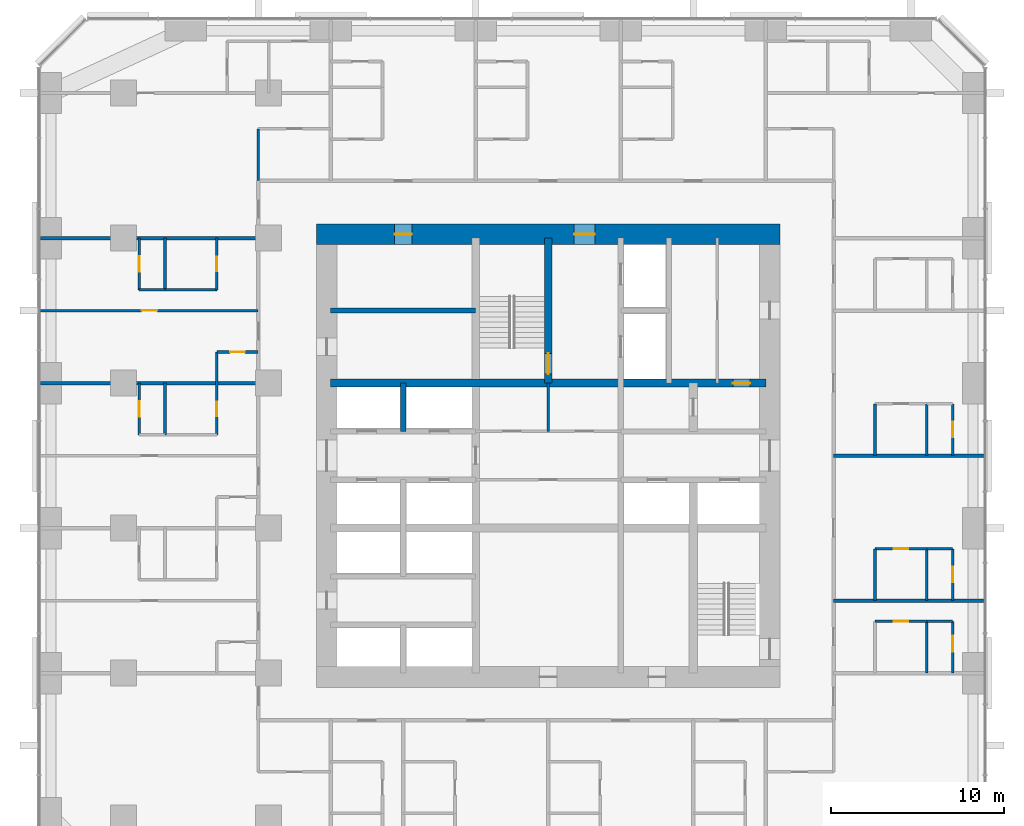
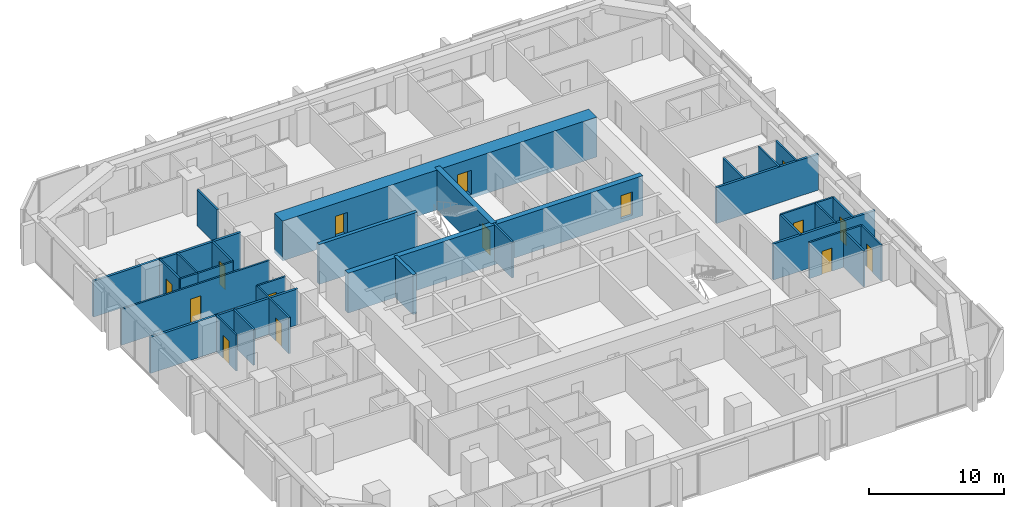
# One storey, part 11 of 14: 33 walls, 15 doors, 15 openings.
"""IFC4 building model written with IfcOpenShell, lengths in metres."""

from ifc_helpers import new_model, si_unit, direction, frame, frame_2d, origin, place, context, subcontext, project, spatial, rectangle, extrude, material, layer, layer_set, type_object, element, fill, save


model = new_model("IFC4")

# Units and contexts
model_context = context("Model", 3, precision=1e-05, world=origin(), true_north=direction((0.0, 1.0)))
body_context = subcontext(model_context, "Body", "Model", "MODEL_VIEW")
ifc_project = project(units=[si_unit("LENGTHUNIT", "METRE"), si_unit("AREAUNIT", "SQUARE_METRE"), si_unit("VOLUMEUNIT", "CUBIC_METRE"), si_unit("PLANEANGLEUNIT", "RADIAN"), si_unit("MASSUNIT", "GRAM", prefix="KILO")], contexts=[model_context])

# Site, building, storey
site_placement = place(None, origin())
site = spatial("IfcSite", under=ifc_project, at=site_placement, CompositionType="ELEMENT")
building_placement = place(site_placement, origin())
building = spatial("IfcBuilding", under=site, at=building_placement, Name="Dunama Terrace Hotel", CompositionType="ELEMENT")
storey_placement = place(building_placement, frame((0.0, 0.0, 100.800048828125)))
storey = spatial("IfcBuildingStorey", under=building, at=storey_placement, Name="L25", CompositionType="ELEMENT", Elevation=100.800048828125)

# Wall, opening, door
ifc_material_1 = material(Name="Gypsum board partition", Category="masonry")
ifc_layer_1 = layer(ifc_material_1, 0.14990234375)
ifc_layer_set_1 = layer_set([ifc_layer_1], Name="Bathroom partition 150")
wall_type_1 = type_object("IfcWallType", Name="Bathroom partition 150", PredefinedType="PARTITIONING", material=ifc_layer_set_1)
wall_1_placement = place(storey_placement, frame((10.199951171875, 30.60009765625, 0.0), z_axis=(0.0, 0.0, 1.0), x_axis=(0.0, 1.0, 0.0)))
wall_1 = element("IfcWall", 1, at=wall_1_placement, inside=storey, type_object=wall_type_1, Name="Bathroom partition 150 L25", PredefinedType="PARTITIONING", context=body_context, shape_type="SweptSolid", body=[
    extrude(rectangle(XDim=4.7998046875, YDim=0.14990234375, at=frame_2d((2.39990234375, 0.0))), origin(), (0.0, 0.0, 1.0), 3.25),
])
opening_1_placement = place(wall_1_placement, frame((1.074951171875, 0.0, 0.0)))
opening_1 = element("IfcOpeningElement", 2, at=opening_1_placement, cuts=wall_1, Name="Opening L25-27-052", PredefinedType="OPENING", context=body_context, shape_type="SweptSolid", body=[
    extrude(rectangle(XDim=0.85009765625, YDim=2.10009765625, at=frame_2d((0.425048828125, 1.050048828125))), frame((0.0, 0.0849609375, 0.0), z_axis=(0.0, -1.0, 0.0), x_axis=(1.0, 0.0, 0.0)), (0.0, 0.0, 1.0), 0.169921875),
])
ifc_material_2 = material(Name="Timber door with steel frame", Category="steel")
door_type_1 = type_object("IfcDoorType", Name="Bathroom door 850", OperationType="SINGLE_SWING_LEFT", PredefinedType="DOOR", material=ifc_material_2)
door_1_placement = place(opening_1_placement, origin())
door_1 = element("IfcDoor", 3, at=door_1_placement, inside=storey, type_object=door_type_1, Name="Door to en-suite bathroom L25-27-052, type D2", OperationType="SINGLE_SWING_RIGHT", OverallHeight=2.10009765625, OverallWidth=0.85009765625, PredefinedType="DOOR", context=body_context, shape_type="SweptSolid", body=[
    extrude(rectangle(XDim=0.85009765625, YDim=2.10009765625, at=frame_2d((0.425048828125, 1.050048828125))), frame((0.0, 0.02490234375, 0.0), z_axis=(0.0, -1.0, 0.0), x_axis=(1.0, 0.0, 0.0)), (0.0, 0.0, 1.0), 0.050048828125),
])
fill(opening_1, door_1)

wall_2_placement = place(storey_placement, frame((10.199951171875, 39.0, 0.0), z_axis=(0.0, 0.0, 1.0), x_axis=(0.0, 1.0, 0.0)))
wall_2 = element("IfcWall", 4, at=wall_2_placement, inside=storey, type_object=wall_type_1, Name="Bathroom partition 150 L25", PredefinedType="PARTITIONING", context=body_context, shape_type="SweptSolid", body=[
    extrude(rectangle(XDim=3.0, YDim=0.14990234375, at=frame_2d((1.5, 0.0))), origin(), (0.0, 0.0, 1.0), 3.25),
])
opening_2_placement = place(wall_2_placement, frame((1.074951171875, 0.0, 0.0)))
opening_2 = element("IfcOpeningElement", 5, at=opening_2_placement, cuts=wall_2, Name="Opening L25-27-057", PredefinedType="OPENING", context=body_context, shape_type="SweptSolid", body=[
    extrude(rectangle(XDim=0.85009765625, YDim=2.10009765625, at=frame_2d((0.425048828125, 1.050048828125))), frame((0.0, 0.0849609375, 0.0), z_axis=(0.0, -1.0, 0.0), x_axis=(1.0, 0.0, 0.0)), (0.0, 0.0, 1.0), 0.169921875),
])
door_2_placement = place(opening_2_placement, origin())
door_2 = element("IfcDoor", 6, at=door_2_placement, inside=storey, type_object=door_type_1, Name="Door to en-suite bathroom L25-27-057, type D2", OperationType="SINGLE_SWING_RIGHT", OverallHeight=2.10009765625, OverallWidth=0.85009765625, PredefinedType="DOOR", context=body_context, shape_type="SweptSolid", body=[
    extrude(rectangle(XDim=0.85009765625, YDim=2.10009765625, at=frame_2d((0.425048828125, 1.050048828125))), frame((0.0, 0.02490234375, 0.0), z_axis=(0.0, -1.0, 0.0), x_axis=(1.0, 0.0, 0.0)), (0.0, 0.0, 1.0), 0.050048828125),
])
fill(opening_2, door_2)

# Walls
for number, where, z_axis, x_axis, name in (
    (7, (12.60009765625, 45.324951171875, 0.0), (0.0, 0.0, 1.0), (0.0, 1.0, 0.0), "Bathroom partition 150 L25"),
    (8, (48.324951171875, 21.0, 0.0), (0.0, 0.0, 1.0), (0.0, 1.0, 0.0), "Bathroom partition 150 L25"),
    (9, (48.324951171875, 29.39990234375, 0.0), (0.0, 0.0, 1.0), (0.0, 1.0, 0.0), "Bathroom partition 150 L25"),
):
    element("IfcWall", number, at=place(storey_placement, frame(where, z_axis=z_axis, x_axis=x_axis)), inside=storey, type_object=wall_type_1, Name=name, PredefinedType="PARTITIONING", context=body_context, shape_type="SweptSolid", body=[
        extrude(rectangle(XDim=3.0, YDim=0.14990234375, at=frame_2d((1.5, 0.0))), origin(), (0.0, 0.0, 1.0), 3.25),
    ])

# Wall, opening, door
wall_3_placement = place(storey_placement, frame((48.324951171875, 19.800048828125, 0.0), z_axis=(0.0, 0.0, 1.0), x_axis=(1.0, 0.0, 0.0)))
wall_3 = element("IfcWall", 10, at=wall_3_placement, inside=storey, type_object=wall_type_1, Name="Bathroom partition 150 L25", PredefinedType="PARTITIONING", context=body_context, shape_type="SweptSolid", body=[
    extrude(rectangle(XDim=3.0, YDim=0.14990234375, at=frame_2d((1.5, 0.0))), origin(), (0.0, 0.0, 1.0), 3.25),
])
opening_3_placement = place(wall_3_placement, frame((1.074951171875, 0.0, 0.0)))
opening_3 = element("IfcOpeningElement", 11, at=opening_3_placement, cuts=wall_3, Name="Opening L25-27-024", PredefinedType="OPENING", context=body_context, shape_type="SweptSolid", body=[
    extrude(rectangle(XDim=0.85009765625, YDim=2.10009765625, at=frame_2d((0.425048828125, 1.050048828125))), frame((0.0, 0.0849609375, 0.0), z_axis=(0.0, -1.0, 0.0), x_axis=(1.0, 0.0, 0.0)), (0.0, 0.0, 1.0), 0.169921875),
])
door_3_placement = place(opening_3_placement, frame((0.85009765625, 0.0, 0.0), z_axis=(0.0, 0.0, 1.0), x_axis=(-1.0, 0.0, 0.0)))
door_3 = element("IfcDoor", 12, at=door_3_placement, inside=storey, type_object=door_type_1, Name="Door to en-suite bathroom L25-27-024, type D2", OperationType="SINGLE_SWING_LEFT", OverallHeight=2.10009765625, OverallWidth=0.85009765625, PredefinedType="DOOR", context=body_context, shape_type="SweptSolid", body=[
    extrude(rectangle(XDim=0.85009765625, YDim=2.10009765625, at=frame_2d((0.425048828125, 1.050048828125))), frame((0.0, 0.025146484375, 0.0), z_axis=(0.0, -1.0, 0.0), x_axis=(1.0, 0.0, 0.0)), (0.0, 0.0, 1.0), 0.050048828125),
])
fill(opening_3, door_3)

wall_4_placement = place(storey_placement, frame((48.324951171875, 24.0, 0.0), z_axis=(0.0, 0.0, 1.0), x_axis=(1.0, 0.0, 0.0)))
wall_4 = element("IfcWall", 13, at=wall_4_placement, inside=storey, type_object=wall_type_1, Name="Bathroom partition 150 L25", PredefinedType="PARTITIONING", context=body_context, shape_type="SweptSolid", body=[
    extrude(rectangle(XDim=3.0, YDim=0.14990234375, at=frame_2d((1.5, 0.0))), origin(), (0.0, 0.0, 1.0), 3.25),
])
opening_4_placement = place(wall_4_placement, frame((1.074951171875, 0.0, 0.0)))
opening_4 = element("IfcOpeningElement", 14, at=opening_4_placement, cuts=wall_4, Name="Opening L25-27-027", PredefinedType="OPENING", context=body_context, shape_type="SweptSolid", body=[
    extrude(rectangle(XDim=0.85009765625, YDim=2.10009765625, at=frame_2d((0.425048828125, 1.050048828125))), frame((0.0, 0.0849609375, 0.0), z_axis=(0.0, -1.0, 0.0), x_axis=(1.0, 0.0, 0.0)), (0.0, 0.0, 1.0), 0.169921875),
])
door_4_placement = place(opening_4_placement, frame((0.85009765625, 0.0, 0.0), z_axis=(0.0, 0.0, 1.0), x_axis=(-1.0, 0.0, 0.0)))
door_4 = element("IfcDoor", 15, at=door_4_placement, inside=storey, type_object=door_type_1, Name="Door to en-suite bathroom L25-27-027, type D2", OperationType="SINGLE_SWING_LEFT", OverallHeight=2.10009765625, OverallWidth=0.85009765625, PredefinedType="DOOR", context=body_context, shape_type="SweptSolid", body=[
    extrude(rectangle(XDim=0.85009765625, YDim=2.10009765625, at=frame_2d((0.425048828125, 1.050048828125))), frame((0.0, 0.025146484375, 0.0), z_axis=(0.0, -1.0, 0.0), x_axis=(1.0, 0.0, 0.0)), (0.0, 0.0, 1.0), 0.050048828125),
])
fill(opening_4, door_4)

wall_5_placement = place(storey_placement, frame((10.199951171875, 35.39990234375, 0.0), z_axis=(0.0, 0.0, 1.0), x_axis=(1.0, 0.0, 0.0)))
wall_5 = element("IfcWall", 16, at=wall_5_placement, inside=storey, type_object=wall_type_1, Name="Bathroom partition 150 L25", PredefinedType="PARTITIONING", context=body_context, shape_type="SweptSolid", body=[
    extrude(rectangle(XDim=2.400146484375, YDim=0.14990234375, at=frame_2d((1.2001953125, 0.0))), origin(), (0.0, 0.0, 1.0), 3.25),
])
opening_5_placement = place(wall_5_placement, frame((0.77490234375, 0.0, 0.0)))
opening_5 = element("IfcOpeningElement", 17, at=opening_5_placement, cuts=wall_5, Name="Opening L25-27-055", PredefinedType="OPENING", context=body_context, shape_type="SweptSolid", body=[
    extrude(rectangle(XDim=0.85009765625, YDim=2.10009765625, at=frame_2d((0.425048828125, 1.050048828125))), frame((0.0, 0.0849609375, 0.0), z_axis=(0.0, -1.0, 0.0), x_axis=(1.0, 0.0, 0.0)), (0.0, 0.0, 1.0), 0.169921875),
])
door_5_placement = place(opening_5_placement, frame((0.85009765625, 0.0, 0.0), z_axis=(0.0, 0.0, 1.0), x_axis=(-1.0, 0.0, 0.0)))
door_5 = element("IfcDoor", 18, at=door_5_placement, inside=storey, type_object=door_type_1, Name="Door to powder room L25-27-055, type D2", OperationType="SINGLE_SWING_LEFT", OverallHeight=2.10009765625, OverallWidth=0.85009765625, PredefinedType="DOOR", context=body_context, shape_type="SweptSolid", body=[
    extrude(rectangle(XDim=0.85009765625, YDim=2.10009765625, at=frame_2d((0.425048828125, 1.050048828125))), frame((0.0, 0.025146484375, 0.0), z_axis=(0.0, -1.0, 0.0), x_axis=(1.0, 0.0, 0.0)), (0.0, 0.0, 1.0), 0.050048828125),
])
fill(opening_5, door_5)

# Walls
wall_6_placement = place(storey_placement, frame((7.199951171875, 39.0, 0.0), z_axis=(0.0, 0.0, 1.0), x_axis=(1.0, 0.0, 0.0)))
element("IfcWall", 19, at=wall_6_placement, inside=storey, type_object=wall_type_1, Name="Bathroom partition 150 L25", PredefinedType="PARTITIONING", context=body_context, shape_type="SweptSolid", body=[
    extrude(rectangle(XDim=3.0, YDim=0.14990234375, at=frame_2d((1.5, 0.0))), origin(), (0.0, 0.0, 1.0), 3.25),
])
ifc_material_3 = material(Name="Concrete C50/60", Category="concrete")
ifc_layer_2 = layer(ifc_material_3, 0.300048828125)
ifc_layer_set_2 = layer_set([ifc_layer_2], Name="Core inner wall 300")
wall_type_2 = type_object("IfcWallType", Name="Core inner wall 300", PredefinedType="SHEAR", material=ifc_layer_set_2)
wall_7_placement = place(storey_placement, frame((21.0, 30.800048828125, -0.35009765625), z_axis=(0.0, 0.0, 1.0), x_axis=(0.0, 1.0, 0.0)))
element("IfcWall", 20, at=wall_7_placement, inside=storey, type_object=wall_type_2, Name="Core inner wall 300 L25", PredefinedType="SHEAR", context=body_context, shape_type="SweptSolid", body=[
    extrude(rectangle(XDim=2.800048828125, YDim=0.300048828125, at=frame_2d((1.39990234375, 0.0))), origin(), (0.0, 0.0, 1.0), 3.60009765625),
])
wall_8_placement = place(storey_placement, frame((16.800048828125, 37.800048828125, -0.35009765625), z_axis=(0.0, 0.0, 1.0), x_axis=(1.0, 0.0, 0.0)))
element("IfcWall", 21, at=wall_8_placement, inside=storey, type_object=wall_type_2, Name="Core inner wall 300 L25", PredefinedType="SHEAR", context=body_context, shape_type="SweptSolid", body=[
    extrude(rectangle(XDim=8.39990234375, YDim=0.300048828125, at=frame_2d((4.199951171875, 0.0))), origin(), (0.0, 0.0, 1.0), 3.60009765625),
])

# Wall, opening, door
ifc_material_4 = material(Name="Concrete C50/60", Category="concrete")
ifc_layer_3 = layer(ifc_material_4, 0.449951171875)
ifc_layer_set_3 = layer_set([ifc_layer_3], Name="Core inner wall 450")
wall_type_3 = type_object("IfcWallType", Name="Core inner wall 450", PredefinedType="SHEAR", material=ifc_layer_set_3)
wall_9_placement = place(storey_placement, frame((29.39990234375, 33.60009765625, -0.35009765625), z_axis=(0.0, 0.0, 1.0), x_axis=(0.0, 1.0, 0.0)))
wall_9 = element("IfcWall", 22, at=wall_9_placement, inside=storey, type_object=wall_type_3, Name="Core inner wall 450 L25", PredefinedType="SHEAR", context=body_context, shape_type="SweptSolid", body=[
    extrude(rectangle(XDim=8.39990234375, YDim=0.449951171875, at=frame_2d((4.199951171875, 0.0))), origin(), (0.0, 0.0, 1.0), 3.60009765625),
])
opening_6_placement = place(wall_9_placement, frame((0.52490234375, 0.0, 0.35009765625)))
opening_6 = element("IfcOpeningElement", 23, at=opening_6_placement, cuts=wall_9, Name="Opening L25-27-001", PredefinedType="OPENING", context=body_context, shape_type="SweptSolid", body=[
    extrude(rectangle(XDim=1.199951171875, YDim=2.199951171875, at=frame_2d((0.60009765625, 1.10009765625))), frame((0.0, 0.23486328125, 0.0), z_axis=(0.0, -1.0, 0.0), x_axis=(1.0, 0.0, 0.0)), (0.0, 0.0, 1.0), 0.469970703125),
])
ifc_material_5 = material(Name="Timber door with steel frame", Category="steel")
door_type_2 = type_object("IfcDoorType", Name="Stair door 1200", OperationType="SINGLE_SWING_LEFT", PredefinedType="DOOR", material=ifc_material_5)
door_6_placement = place(opening_6_placement, origin())
door_6 = element("IfcDoor", 24, at=door_6_placement, inside=storey, type_object=door_type_2, Name="Stair door ST1 L25-27-001, type D5", OperationType="SINGLE_SWING_LEFT", OverallHeight=2.199951171875, OverallWidth=1.199951171875, PredefinedType="DOOR", context=body_context, shape_type="SweptSolid", body=[
    extrude(rectangle(XDim=1.199951171875, YDim=2.199951171875, at=frame_2d((0.60009765625, 1.10009765625))), frame((0.0, 0.02490234375, 0.0), z_axis=(0.0, -1.0, 0.0), x_axis=(1.0, 0.0, 0.0)), (0.0, 0.0, 1.0), 0.050048828125),
])
fill(opening_6, door_6)

wall_10_placement = place(storey_placement, frame((16.800048828125, 33.60009765625, -0.35009765625), z_axis=(0.0, 0.0, 1.0), x_axis=(1.0, 0.0, 0.0)))
wall_10 = element("IfcWall", 25, at=wall_10_placement, inside=storey, type_object=wall_type_3, Name="Core inner wall 450 L25", PredefinedType="SHEAR", context=body_context, shape_type="SweptSolid", body=[
    extrude(rectangle(XDim=25.199951171875, YDim=0.449951171875, at=frame_2d((12.60009765625, 0.0))), origin(), (0.0, 0.0, 1.0), 3.60009765625),
])
opening_7_placement = place(wall_10_placement, frame((23.300048828125, 0.0, 0.35009765625)))
opening_7 = element("IfcOpeningElement", 26, at=opening_7_placement, cuts=wall_10, Name="Opening L25-27-088", PredefinedType="OPENING", context=body_context, shape_type="SweptSolid", body=[
    extrude(rectangle(XDim=1.0, YDim=2.10009765625, at=frame_2d((0.5, 1.050048828125))), frame((0.0, 0.23486328125, 0.0), z_axis=(0.0, -1.0, 0.0), x_axis=(1.0, 0.0, 0.0)), (0.0, 0.0, 1.0), 0.469970703125),
])
ifc_material_6 = material(Name="Timber door with steel frame", Category="steel")
door_type_3 = type_object("IfcDoorType", Name="Service door 1000", OperationType="SINGLE_SWING_LEFT", PredefinedType="DOOR", material=ifc_material_6)
door_7_placement = place(opening_7_placement, frame((1.0, 0.0, 0.0), z_axis=(0.0, 0.0, 1.0), x_axis=(-1.0, 0.0, 0.0)))
door_7 = element("IfcDoor", 27, at=door_7_placement, inside=storey, type_object=door_type_3, Name="Door to housekeeping and linen store L25-27-088, type D7", OperationType="SINGLE_SWING_LEFT", OverallHeight=2.10009765625, OverallWidth=1.0, PredefinedType="DOOR", context=body_context, shape_type="SweptSolid", body=[
    extrude(rectangle(XDim=1.0, YDim=2.10009765625, at=frame_2d((0.5, 1.050048828125))), frame((0.0, 0.025146484375, 0.0), z_axis=(0.0, -1.0, 0.0), x_axis=(1.0, 0.0, 0.0)), (0.0, 0.0, 1.0), 0.050048828125),
])
fill(opening_7, door_7)

# Wall, openings, doors
ifc_material_7 = material(Name="Concrete C60/75", Category="concrete")
ifc_layer_4 = layer(ifc_material_7, 1.199951171875)
ifc_layer_set_4 = layer_set([ifc_layer_4], Name="Core wall 1200")
wall_type_4 = type_object("IfcWallType", Name="Core wall 1200", PredefinedType="SHEAR", material=ifc_layer_set_4)
wall_11_placement = place(storey_placement, frame((42.824951171875, 42.22509765625, -0.35009765625), z_axis=(0.0, 0.0, 1.0), x_axis=(-1.0, 0.0, 0.0)))
wall_11 = element("IfcWall", 28, at=wall_11_placement, inside=storey, type_object=wall_type_4, Name="Core wall north L25", PredefinedType="SHEAR", context=body_context, shape_type="SweptSolid", body=[
    extrude(rectangle(XDim=26.849853515625, YDim=1.199951171875, at=frame_2d((13.4248046875, 0.0))), origin(), (0.0, 0.0, 1.0), 3.60009765625),
])
opening_8_placement = place(wall_11_placement, frame((21.324951171875, 0.0, 0.35009765625)))
opening_8 = element("IfcOpeningElement", 29, at=opening_8_placement, cuts=wall_11, Name="Opening L25-27-082", PredefinedType="OPENING", context=body_context, shape_type="SweptSolid", body=[
    extrude(rectangle(XDim=1.0, YDim=2.10009765625, at=frame_2d((0.5, 1.050048828125))), frame((0.0, 0.60986328125, 0.0), z_axis=(0.0, -1.0, 0.0), x_axis=(1.0, 0.0, 0.0)), (0.0, 0.0, 1.0), 1.219970703125),
])
opening_9_placement = place(wall_11_placement, frame((10.72509765625, 0.0, 0.35009765625)))
opening_9 = element("IfcOpeningElement", 30, at=opening_9_placement, cuts=wall_11, Name="Opening L25-27-090", PredefinedType="OPENING", context=body_context, shape_type="SweptSolid", body=[
    extrude(rectangle(XDim=1.199951171875, YDim=2.199951171875, at=frame_2d((0.60009765625, 1.10009765625))), frame((0.0, 0.60986328125, 0.0), z_axis=(0.0, -1.0, 0.0), x_axis=(1.0, 0.0, 0.0)), (0.0, 0.0, 1.0), 1.219970703125),
])
ifc_material_8 = material(Name="Timber door with steel frame", Category="steel")
door_type_4 = type_object("IfcDoorType", Name="Firefighting lobby door 1200", OperationType="SINGLE_SWING_LEFT", PredefinedType="DOOR", material=ifc_material_8)
door_8_placement = place(opening_9_placement, origin())
door_8 = element("IfcDoor", 31, at=door_8_placement, inside=storey, type_object=door_type_4, Name="Door to firefighting lobby L25-27-090, type D4", OperationType="SINGLE_SWING_RIGHT", OverallHeight=2.199951171875, OverallWidth=1.199951171875, PredefinedType="DOOR", context=body_context, shape_type="SweptSolid", body=[
    extrude(rectangle(XDim=1.199951171875, YDim=2.199951171875, at=frame_2d((0.60009765625, 1.10009765625))), frame((0.0, 0.02490234375, 0.0), z_axis=(0.0, -1.0, 0.0), x_axis=(1.0, 0.0, 0.0)), (0.0, 0.0, 1.0), 0.050048828125),
])
fill(opening_9, door_8)
door_9_placement = place(opening_8_placement, origin())
door_9 = element("IfcDoor", 32, at=door_9_placement, inside=storey, type_object=door_type_3, Name="Door to communications and riser room L25-27-082, type D7", OperationType="SINGLE_SWING_LEFT", OverallHeight=2.10009765625, OverallWidth=1.0, PredefinedType="DOOR", context=body_context, shape_type="SweptSolid", body=[
    extrude(rectangle(XDim=1.0, YDim=2.10009765625, at=frame_2d((0.5, 1.050048828125))), frame((0.0, 0.02490234375, 0.0), z_axis=(0.0, -1.0, 0.0), x_axis=(1.0, 0.0, 0.0)), (0.0, 0.0, 1.0), 0.050048828125),
])
fill(opening_8, door_9)

# Walls
ifc_material_9 = material(Name="Concrete blockwork", Category="masonry")
ifc_layer_5 = layer(ifc_material_9, 0.199951171875)
ifc_layer_set_5 = layer_set([ifc_layer_5], Name="Party wall 200")
wall_type_5 = type_object("IfcWallType", Name="Party wall 200", PredefinedType="PARTITIONING", material=ifc_layer_set_5)
for number, where, z_axis, x_axis, name in (
    (33, (45.925048828125, 21.0, 0.0), (0.0, 0.0, 1.0), (1.0, 0.0, 0.0), "Party wall 200 L25"),
    (34, (45.925048828125, 29.39990234375, 0.0), (0.0, 0.0, 1.0), (1.0, 0.0, 0.0), "Party wall 200 L25"),
):
    element("IfcWall", number, at=place(storey_placement, frame(where, z_axis=z_axis, x_axis=x_axis)), inside=storey, type_object=wall_type_5, Name=name, PredefinedType="PARTITIONING", context=body_context, shape_type="SweptSolid", body=[
        extrude(rectangle(XDim=8.69287109375, YDim=0.199951171875, at=frame_2d((4.346435546875, 0.0))), origin(), (0.0, 0.0, 1.0), 3.25),
    ])
for number, where, z_axis, x_axis, name in (
    (35, (-0.01806640625, 33.60009765625, 0.0), (0.0, 0.0, 1.0), (1.0, 0.0, 0.0), "Party wall 200 L25"),
    (36, (-0.01806640625, 42.0, 0.0), (0.0, 0.0, 1.0), (1.0, 0.0, 0.0), "Party wall 200 L25"),
):
    element("IfcWall", number, at=place(storey_placement, frame(where, z_axis=z_axis, x_axis=x_axis)), inside=storey, type_object=wall_type_5, Name=name, PredefinedType="PARTITIONING", context=body_context, shape_type="SweptSolid", body=[
        extrude(rectangle(XDim=12.6181640625, YDim=0.199951171875, at=frame_2d((6.30908203125, 0.0))), origin(), (0.0, 0.0, 1.0), 3.25),
    ])

# Wall, opening, door
ifc_material_10 = material(Name="Gypsum board partition", Category="masonry")
ifc_layer_6 = layer(ifc_material_10, 0.14990234375)
ifc_layer_set_6 = layer_set([ifc_layer_6], Name="Room partition 150")
wall_type_6 = type_object("IfcWallType", Name="Room partition 150", PredefinedType="PARTITIONING", material=ifc_layer_set_6)
wall_12_placement = place(storey_placement, frame((5.699951171875, 30.60009765625, 0.0), z_axis=(0.0, 0.0, 1.0), x_axis=(0.0, 1.0, 0.0)))
wall_12 = element("IfcWall", 37, at=wall_12_placement, inside=storey, type_object=wall_type_6, Name="Room partition 150 L25", PredefinedType="PARTITIONING", context=body_context, shape_type="SweptSolid", body=[
    extrude(rectangle(XDim=3.0, YDim=0.14990234375, at=frame_2d((1.5, 0.0))), origin(), (0.0, 0.0, 1.0), 3.25),
])
opening_10_placement = place(wall_12_placement, frame((1.050048828125, 0.0, 0.0)))
opening_10 = element("IfcOpeningElement", 38, at=opening_10_placement, cuts=wall_12, Name="Opening L25-27-053", PredefinedType="OPENING", context=body_context, shape_type="SweptSolid", body=[
    extrude(rectangle(XDim=0.89990234375, YDim=2.10009765625, at=frame_2d((0.449951171875, 1.050048828125))), frame((0.0, 0.0849609375, 0.0), z_axis=(0.0, -1.0, 0.0), x_axis=(1.0, 0.0, 0.0)), (0.0, 0.0, 1.0), 0.169921875),
])
ifc_material_11 = material(Name="Timber door with steel frame", Category="steel")
door_type_5 = type_object("IfcDoorType", Name="Suite internal door 900", OperationType="SINGLE_SWING_LEFT", PredefinedType="DOOR", material=ifc_material_11)
door_10_placement = place(opening_10_placement, frame((0.89990234375, 0.0, 0.0), z_axis=(0.0, 0.0, 1.0), x_axis=(-1.0, 0.0, 0.0)))
door_10 = element("IfcDoor", 39, at=door_10_placement, inside=storey, type_object=door_type_5, Name="Door to walk-in wardrobe L25-27-053, type D16", OperationType="SINGLE_SWING_LEFT", OverallHeight=2.10009765625, OverallWidth=0.89990234375, PredefinedType="DOOR", context=body_context, shape_type="SweptSolid", body=[
    extrude(rectangle(XDim=0.89990234375, YDim=2.10009765625, at=frame_2d((0.449951171875, 1.050048828125))), frame((0.0, 0.025146484375, 0.0), z_axis=(0.0, -1.0, 0.0), x_axis=(1.0, 0.0, 0.0)), (0.0, 0.0, 1.0), 0.050048828125),
])
fill(opening_10, door_10)

wall_13_placement = place(storey_placement, frame((5.699951171875, 39.0, 0.0), z_axis=(0.0, 0.0, 1.0), x_axis=(0.0, 1.0, 0.0)))
wall_13 = element("IfcWall", 40, at=wall_13_placement, inside=storey, type_object=wall_type_6, Name="Room partition 150 L25", PredefinedType="PARTITIONING", context=body_context, shape_type="SweptSolid", body=[
    extrude(rectangle(XDim=3.0, YDim=0.14990234375, at=frame_2d((1.5, 0.0))), origin(), (0.0, 0.0, 1.0), 3.25),
])
opening_11_placement = place(wall_13_placement, frame((1.050048828125, 0.0, 0.0)))
opening_11 = element("IfcOpeningElement", 41, at=opening_11_placement, cuts=wall_13, Name="Opening L25-27-058", PredefinedType="OPENING", context=body_context, shape_type="SweptSolid", body=[
    extrude(rectangle(XDim=0.89990234375, YDim=2.10009765625, at=frame_2d((0.449951171875, 1.050048828125))), frame((0.0, 0.0849609375, 0.0), z_axis=(0.0, -1.0, 0.0), x_axis=(1.0, 0.0, 0.0)), (0.0, 0.0, 1.0), 0.169921875),
])
door_11_placement = place(opening_11_placement, frame((0.89990234375, 0.0, 0.0), z_axis=(0.0, 0.0, 1.0), x_axis=(-1.0, 0.0, 0.0)))
door_11 = element("IfcDoor", 42, at=door_11_placement, inside=storey, type_object=door_type_5, Name="Door to walk-in wardrobe L25-27-058, type D16", OperationType="SINGLE_SWING_LEFT", OverallHeight=2.10009765625, OverallWidth=0.89990234375, PredefinedType="DOOR", context=body_context, shape_type="SweptSolid", body=[
    extrude(rectangle(XDim=0.89990234375, YDim=2.10009765625, at=frame_2d((0.449951171875, 1.050048828125))), frame((0.0, 0.025146484375, 0.0), z_axis=(0.0, -1.0, 0.0), x_axis=(1.0, 0.0, 0.0)), (0.0, 0.0, 1.0), 0.050048828125),
])
fill(opening_11, door_11)

# Walls
for number, where, z_axis, x_axis, name in (
    (43, (7.199951171875, 30.60009765625, 0.0), (0.0, 0.0, 1.0), (0.0, 1.0, 0.0), "Room partition 150 L25"),
    (44, (7.199951171875, 39.0, 0.0), (0.0, 0.0, 1.0), (0.0, 1.0, 0.0), "Room partition 150 L25"),
):
    element("IfcWall", number, at=place(storey_placement, frame(where, z_axis=z_axis, x_axis=x_axis)), inside=storey, type_object=wall_type_6, Name=name, PredefinedType="PARTITIONING", context=body_context, shape_type="SweptSolid", body=[
        extrude(rectangle(XDim=3.0, YDim=0.14990234375, at=frame_2d((1.5, 0.0))), origin(), (0.0, 0.0, 1.0), 3.25),
    ])
wall_14_placement = place(storey_placement, frame((29.39990234375, 30.800048828125, 0.0), z_axis=(0.0, 0.0, 1.0), x_axis=(0.0, 1.0, 0.0)))
element("IfcWall", 45, at=wall_14_placement, inside=storey, type_object=wall_type_6, Name="Room partition 150 L25", PredefinedType="PARTITIONING", context=body_context, shape_type="SweptSolid", body=[
    extrude(rectangle(XDim=2.800048828125, YDim=0.14990234375, at=frame_2d((1.39990234375, 0.0))), origin(), (0.0, 0.0, 1.0), 3.25),
])
for number, where, z_axis, x_axis, name in (
    (46, (51.324951171875, 16.800048828125, 0.0), (0.0, 0.0, 1.0), (0.0, 1.0, 0.0), "Room partition 150 L25"),
    (47, (51.324951171875, 21.0, 0.0), (0.0, 0.0, 1.0), (0.0, 1.0, 0.0), "Room partition 150 L25"),
    (48, (51.324951171875, 29.39990234375, 0.0), (0.0, 0.0, 1.0), (0.0, 1.0, 0.0), "Room partition 150 L25"),
):
    element("IfcWall", number, at=place(storey_placement, frame(where, z_axis=z_axis, x_axis=x_axis)), inside=storey, type_object=wall_type_6, Name=name, PredefinedType="PARTITIONING", context=body_context, shape_type="SweptSolid", body=[
        extrude(rectangle(XDim=3.0, YDim=0.14990234375, at=frame_2d((1.5, 0.0))), origin(), (0.0, 0.0, 1.0), 3.25),
    ])

# Wall, opening, door
wall_15_placement = place(storey_placement, frame((52.824951171875, 16.800048828125, 0.0), z_axis=(0.0, 0.0, 1.0), x_axis=(0.0, 1.0, 0.0)))
wall_15 = element("IfcWall", 49, at=wall_15_placement, inside=storey, type_object=wall_type_6, Name="Room partition 150 L25", PredefinedType="PARTITIONING", context=body_context, shape_type="SweptSolid", body=[
    extrude(rectangle(XDim=3.0, YDim=0.14990234375, at=frame_2d((1.5, 0.0))), origin(), (0.0, 0.0, 1.0), 3.25),
])
opening_12_placement = place(wall_15_placement, frame((1.25, 0.0, 0.0)))
opening_12 = element("IfcOpeningElement", 50, at=opening_12_placement, cuts=wall_15, Name="Opening L25-27-025", PredefinedType="OPENING", context=body_context, shape_type="SweptSolid", body=[
    extrude(rectangle(XDim=0.89990234375, YDim=2.10009765625, at=frame_2d((0.449951171875, 1.050048828125))), frame((0.0, 0.0849609375, 0.0), z_axis=(0.0, -1.0, 0.0), x_axis=(1.0, 0.0, 0.0)), (0.0, 0.0, 1.0), 0.169921875),
])
door_12_placement = place(opening_12_placement, origin())
door_12 = element("IfcDoor", 51, at=door_12_placement, inside=storey, type_object=door_type_5, Name="Door to walk-in wardrobe L25-27-025, type D16", OperationType="SINGLE_SWING_LEFT", OverallHeight=2.10009765625, OverallWidth=0.89990234375, PredefinedType="DOOR", context=body_context, shape_type="SweptSolid", body=[
    extrude(rectangle(XDim=0.89990234375, YDim=2.10009765625, at=frame_2d((0.449951171875, 1.050048828125))), frame((0.0, 0.02490234375, 0.0), z_axis=(0.0, -1.0, 0.0), x_axis=(1.0, 0.0, 0.0)), (0.0, 0.0, 1.0), 0.050048828125),
])
fill(opening_12, door_12)

wall_16_placement = place(storey_placement, frame((52.824951171875, 21.0, 0.0), z_axis=(0.0, 0.0, 1.0), x_axis=(0.0, 1.0, 0.0)))
wall_16 = element("IfcWall", 52, at=wall_16_placement, inside=storey, type_object=wall_type_6, Name="Room partition 150 L25", PredefinedType="PARTITIONING", context=body_context, shape_type="SweptSolid", body=[
    extrude(rectangle(XDim=3.0, YDim=0.14990234375, at=frame_2d((1.5, 0.0))), origin(), (0.0, 0.0, 1.0), 3.25),
])
opening_13_placement = place(wall_16_placement, frame((1.050048828125, 0.0, 0.0)))
opening_13 = element("IfcOpeningElement", 53, at=opening_13_placement, cuts=wall_16, Name="Opening L25-27-028", PredefinedType="OPENING", context=body_context, shape_type="SweptSolid", body=[
    extrude(rectangle(XDim=0.89990234375, YDim=2.10009765625, at=frame_2d((0.449951171875, 1.050048828125))), frame((0.0, 0.0849609375, 0.0), z_axis=(0.0, -1.0, 0.0), x_axis=(1.0, 0.0, 0.0)), (0.0, 0.0, 1.0), 0.169921875),
])
door_13_placement = place(opening_13_placement, origin())
door_13 = element("IfcDoor", 54, at=door_13_placement, inside=storey, type_object=door_type_5, Name="Door to walk-in wardrobe L25-27-028, type D16", OperationType="SINGLE_SWING_LEFT", OverallHeight=2.10009765625, OverallWidth=0.89990234375, PredefinedType="DOOR", context=body_context, shape_type="SweptSolid", body=[
    extrude(rectangle(XDim=0.89990234375, YDim=2.10009765625, at=frame_2d((0.449951171875, 1.050048828125))), frame((0.0, 0.02490234375, 0.0), z_axis=(0.0, -1.0, 0.0), x_axis=(1.0, 0.0, 0.0)), (0.0, 0.0, 1.0), 0.050048828125),
])
fill(opening_13, door_13)

wall_17_placement = place(storey_placement, frame((52.824951171875, 29.39990234375, 0.0), z_axis=(0.0, 0.0, 1.0), x_axis=(0.0, 1.0, 0.0)))
wall_17 = element("IfcWall", 55, at=wall_17_placement, inside=storey, type_object=wall_type_6, Name="Room partition 150 L25", PredefinedType="PARTITIONING", context=body_context, shape_type="SweptSolid", body=[
    extrude(rectangle(XDim=3.0, YDim=0.14990234375, at=frame_2d((1.5, 0.0))), origin(), (0.0, 0.0, 1.0), 3.25),
])
opening_14_placement = place(wall_17_placement, frame((1.050048828125, 0.0, 0.0)))
opening_14 = element("IfcOpeningElement", 56, at=opening_14_placement, cuts=wall_17, Name="Opening L25-27-031", PredefinedType="OPENING", context=body_context, shape_type="SweptSolid", body=[
    extrude(rectangle(XDim=0.89990234375, YDim=2.10009765625, at=frame_2d((0.449951171875, 1.050048828125))), frame((0.0, 0.0849609375, 0.0), z_axis=(0.0, -1.0, 0.0), x_axis=(1.0, 0.0, 0.0)), (0.0, 0.0, 1.0), 0.169921875),
])
door_14_placement = place(opening_14_placement, origin())
door_14 = element("IfcDoor", 57, at=door_14_placement, inside=storey, type_object=door_type_5, Name="Door to walk-in wardrobe L25-27-031, type D16", OperationType="SINGLE_SWING_LEFT", OverallHeight=2.10009765625, OverallWidth=0.89990234375, PredefinedType="DOOR", context=body_context, shape_type="SweptSolid", body=[
    extrude(rectangle(XDim=0.89990234375, YDim=2.10009765625, at=frame_2d((0.449951171875, 1.050048828125))), frame((0.0, 0.02490234375, 0.0), z_axis=(0.0, -1.0, 0.0), x_axis=(1.0, 0.0, 0.0)), (0.0, 0.0, 1.0), 0.050048828125),
])
fill(opening_14, door_14)

# Walls
for number, where, z_axis, x_axis, name in (
    (58, (51.324951171875, 19.800048828125, 0.0), (0.0, 0.0, 1.0), (1.0, 0.0, 0.0), "Room partition 150 L25"),
    (59, (51.324951171875, 24.0, 0.0), (0.0, 0.0, 1.0), (1.0, 0.0, 0.0), "Room partition 150 L25"),
):
    element("IfcWall", number, at=place(storey_placement, frame(where, z_axis=z_axis, x_axis=x_axis)), inside=storey, type_object=wall_type_6, Name=name, PredefinedType="PARTITIONING", context=body_context, shape_type="SweptSolid", body=[
        extrude(rectangle(XDim=1.5, YDim=0.14990234375, at=frame_2d((0.75, 0.0))), origin(), (0.0, 0.0, 1.0), 3.25),
    ])

# Wall, opening, door
wall_18_placement = place(storey_placement, frame((-0.01806640625, 37.800048828125, 0.0), z_axis=(0.0, 0.0, 1.0), x_axis=(1.0, 0.0, 0.0)))
wall_18 = element("IfcWall", 60, at=wall_18_placement, inside=storey, type_object=wall_type_6, Name="Room partition 150 L25", PredefinedType="PARTITIONING", context=body_context, shape_type="SweptSolid", body=[
    extrude(rectangle(XDim=12.6181640625, YDim=0.14990234375, at=frame_2d((6.30908203125, 0.0))), origin(), (0.0, 0.0, 1.0), 3.25),
])
opening_15_placement = place(wall_18_placement, frame((5.867919921875, 0.0, 0.0)))
opening_15 = element("IfcOpeningElement", 61, at=opening_15_placement, cuts=wall_18, Name="Opening L25-27-056", PredefinedType="OPENING", context=body_context, shape_type="SweptSolid", body=[
    extrude(rectangle(XDim=0.89990234375, YDim=2.10009765625, at=frame_2d((0.449951171875, 1.050048828125))), frame((0.0, 0.0849609375, 0.0), z_axis=(0.0, -1.0, 0.0), x_axis=(1.0, 0.0, 0.0)), (0.0, 0.0, 1.0), 0.169921875),
])
door_15_placement = place(opening_15_placement, origin())
door_15 = element("IfcDoor", 62, at=door_15_placement, inside=storey, type_object=door_type_5, Name="Door to premier suite bedroom L25-27-056, type D16", OperationType="SINGLE_SWING_LEFT", OverallHeight=2.10009765625, OverallWidth=0.89990234375, PredefinedType="DOOR", context=body_context, shape_type="SweptSolid", body=[
    extrude(rectangle(XDim=0.89990234375, YDim=2.10009765625, at=frame_2d((0.449951171875, 1.050048828125))), frame((0.0, 0.02490234375, 0.0), z_axis=(0.0, -1.0, 0.0), x_axis=(1.0, 0.0, 0.0)), (0.0, 0.0, 1.0), 0.050048828125),
])
fill(opening_15, door_15)

# Wall
wall_19_placement = place(storey_placement, frame((5.699951171875, 39.0, 0.0), z_axis=(0.0, 0.0, 1.0), x_axis=(1.0, 0.0, 0.0)))
element("IfcWall", 63, at=wall_19_placement, inside=storey, type_object=wall_type_6, Name="Room partition 150 L25", PredefinedType="PARTITIONING", context=body_context, shape_type="SweptSolid", body=[
    extrude(rectangle(XDim=1.5, YDim=0.14990234375, at=frame_2d((0.75, 0.0))), origin(), (0.0, 0.0, 1.0), 3.25),
])

save(model, "model.ifc")
